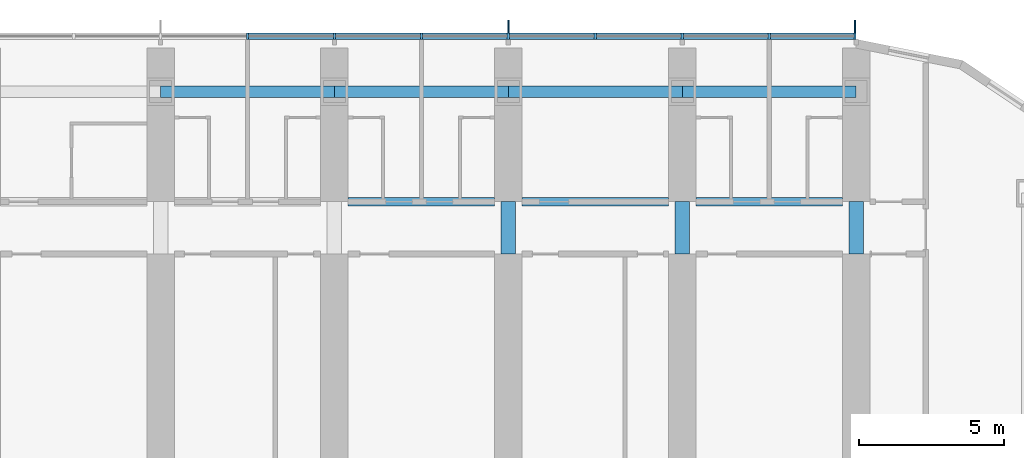
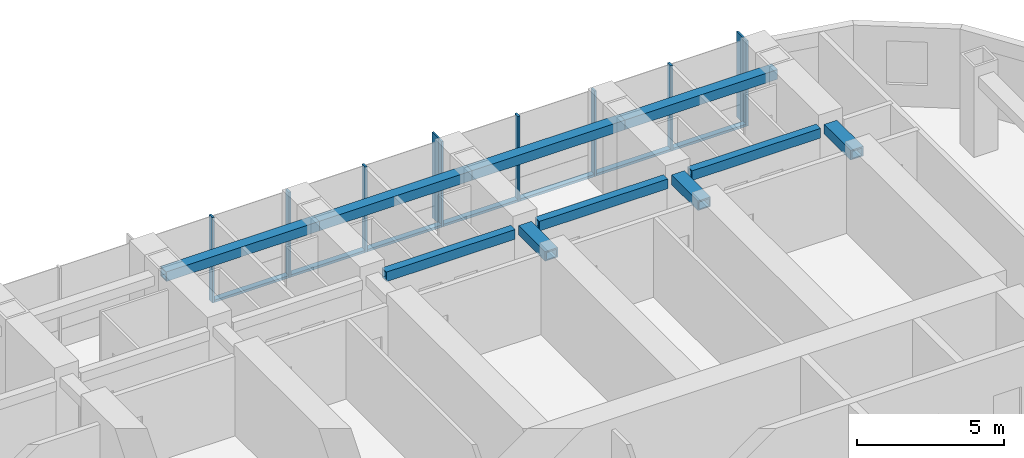
# One storey, part 5 of 21: 17 members, 10 beams, 1 element without a shape of its own.
"""IFC4 building model written with IfcOpenShell, lengths in metres."""

from ifc_helpers import new_model, si_unit, direction, frame, origin, origin_2d, place, context, subcontext, project, spatial, rectangle, hollow_rectangle, extrude, material, material_profile, profile_set, type_object, element, aggregate, save


model = new_model("IFC4")

# Units and contexts
model_context = context("Model", 3, precision=1e-05, world=origin(), true_north=direction((0.0, 1.0)))
body_context = subcontext(model_context, "Body", "Model", "MODEL_VIEW")
ifc_project = project(units=[si_unit("LENGTHUNIT", "METRE"), si_unit("AREAUNIT", "SQUARE_METRE"), si_unit("VOLUMEUNIT", "CUBIC_METRE"), si_unit("PLANEANGLEUNIT", "RADIAN"), si_unit("MASSUNIT", "GRAM", prefix="KILO")], contexts=[model_context])

# Site, building, storey
site_placement = place(None, origin())
site = spatial("IfcSite", under=ifc_project, at=site_placement, CompositionType="ELEMENT")
building_placement = place(site_placement, origin())
building = spatial("IfcBuilding", under=site, at=building_placement, Name="Orbita Commons", CompositionType="ELEMENT")
storey_placement = place(building_placement, frame((0.0, 0.0, 110.64990234375)))
storey = spatial("IfcBuildingStorey", under=building, at=storey_placement, Name="L27", CompositionType="ELEMENT", Elevation=110.64990234375)

# Curtain wall, members
ifc_material_1 = material(Name="Anodised aluminium frame, pale silver", Category="aluminium")
curtain_wall_type = type_object("IfcCurtainWallType", Name="Unitised curtain wall CW-T, vision and spandrel", PredefinedType="NOTDEFINED", material=ifc_material_1)
curtain_wall_placement = place(storey_placement, origin())
curtain_wall = element("IfcCurtainWall", 1, at=curtain_wall_placement, inside=storey, type_object=curtain_wall_type, Name="Curtain wall north L27", PredefinedType="NOTDEFINED")
ifc_material_2 = material(Name="Anodised aluminium, pale silver", Category="aluminium")
ifc_material_profile_1 = material_profile(ifc_material_2, rectangle(XDim=0.080078125, YDim=0.219970703125, at=origin_2d()), Name="AL 80x220")
ifc_profile_set_1 = profile_set([ifc_material_profile_1], Name="Anodised aluminium, pale silver")
member_type_1 = type_object("IfcMemberType", Name="Curtain wall mullion 80x220", PredefinedType="MULLION", material=ifc_profile_set_1)
member_1_placement = place(storey_placement, frame((65.9599609375, 55.510009765625, -0.25), z_axis=(0.0, 0.0, 1.0), x_axis=(-1.0, 0.0, 0.0)))
member_1 = element("IfcMember", 2, at=member_1_placement, type_object=member_type_1, Name="Mullion 1 CW-L27-N", PredefinedType="MULLION", context=body_context, shape_type="SweptSolid", body=[
    extrude(rectangle(XDim=0.080078125, YDim=0.219970703125, at=origin_2d()), origin(), (0.0, 0.0, 1.0), 3.550048828125),
])
member_2_placement = place(storey_placement, frame((63.0, 55.510009765625, -0.25), z_axis=(0.0, 0.0, 1.0), x_axis=(-1.0, 0.0, 0.0)))
member_2 = element("IfcMember", 3, at=member_2_placement, type_object=member_type_1, Name="Mullion 2 CW-L27-N", PredefinedType="MULLION", context=body_context, shape_type="SweptSolid", body=[
    extrude(rectangle(XDim=0.080078125, YDim=0.219970703125, at=origin_2d()), origin(), (0.0, 0.0, 1.0), 3.550048828125),
])
member_3_placement = place(storey_placement, frame((60.0, 55.510009765625, -0.25), z_axis=(0.0, 0.0, 1.0), x_axis=(-1.0, 0.0, 0.0)))
member_3 = element("IfcMember", 4, at=member_3_placement, type_object=member_type_1, Name="Mullion 3 CW-L27-N", PredefinedType="MULLION", context=body_context, shape_type="SweptSolid", body=[
    extrude(rectangle(XDim=0.080078125, YDim=0.219970703125, at=origin_2d()), origin(), (0.0, 0.0, 1.0), 3.550048828125),
])
member_4_placement = place(storey_placement, frame((57.0, 55.510009765625, -0.25), z_axis=(0.0, 0.0, 1.0), x_axis=(-1.0, 0.0, 0.0)))
member_4 = element("IfcMember", 5, at=member_4_placement, type_object=member_type_1, Name="Mullion 4 CW-L27-N", PredefinedType="MULLION", context=body_context, shape_type="SweptSolid", body=[
    extrude(rectangle(XDim=0.080078125, YDim=0.219970703125, at=origin_2d()), origin(), (0.0, 0.0, 1.0), 3.550048828125),
])
member_5_placement = place(storey_placement, frame((54.0, 55.510009765625, -0.25), z_axis=(0.0, 0.0, 1.0), x_axis=(-1.0, 0.0, 0.0)))
member_5 = element("IfcMember", 6, at=member_5_placement, type_object=member_type_1, Name="Mullion 5 CW-L27-N", PredefinedType="MULLION", context=body_context, shape_type="SweptSolid", body=[
    extrude(rectangle(XDim=0.080078125, YDim=0.219970703125, at=origin_2d()), origin(), (0.0, 0.0, 1.0), 3.550048828125),
])
member_6_placement = place(storey_placement, frame((51.0, 55.510009765625, -0.25), z_axis=(0.0, 0.0, 1.0), x_axis=(-1.0, 0.0, 0.0)))
member_6 = element("IfcMember", 7, at=member_6_placement, type_object=member_type_1, Name="Mullion 6 CW-L27-N", PredefinedType="MULLION", context=body_context, shape_type="SweptSolid", body=[
    extrude(rectangle(XDim=0.080078125, YDim=0.219970703125, at=origin_2d()), origin(), (0.0, 0.0, 1.0), 3.550048828125),
])
member_7_placement = place(storey_placement, frame((48.0, 55.510009765625, -0.25), z_axis=(0.0, 0.0, 1.0), x_axis=(-1.0, 0.0, 0.0)))
member_7 = element("IfcMember", 8, at=member_7_placement, type_object=member_type_1, Name="Mullion 7 CW-L27-N", PredefinedType="MULLION", context=body_context, shape_type="SweptSolid", body=[
    extrude(rectangle(XDim=0.080078125, YDim=0.219970703125, at=origin_2d()), origin(), (0.0, 0.0, 1.0), 3.550048828125),
])
member_8_placement = place(storey_placement, frame((45.0, 55.510009765625, -0.25), z_axis=(0.0, 0.0, 1.0), x_axis=(-1.0, 0.0, 0.0)))
member_8 = element("IfcMember", 9, at=member_8_placement, type_object=member_type_1, Name="Mullion 8 CW-L27-N", PredefinedType="MULLION", context=body_context, shape_type="SweptSolid", body=[
    extrude(rectangle(XDim=0.080078125, YDim=0.219970703125, at=origin_2d()), origin(), (0.0, 0.0, 1.0), 3.550048828125),
])
ifc_material_3 = material(Name="Anodised aluminium, pale silver", Category="aluminium")
ifc_material_profile_2 = material_profile(ifc_material_3, rectangle(XDim=0.219970703125, YDim=0.10009765625, at=origin_2d()), Name="AL 220x100")
ifc_profile_set_2 = profile_set([ifc_material_profile_2], Name="Anodised aluminium, pale silver")
member_type_2 = type_object("IfcMemberType", Name="Curtain wall stack transom 220x100", PredefinedType="USERDEFINED", material=ifc_profile_set_2)
member_9_placement = place(storey_placement, frame((65.919921875, 55.510009765625, -0.199951171875), z_axis=(-1.0, 0.0, 0.0), x_axis=(0.0, -1.0, 0.0)))
member_9 = element("IfcMember", 10, at=member_9_placement, type_object=member_type_2, Name="Transom 1.1 CW-L27-N", ObjectType="TRANSOM", PredefinedType="USERDEFINED", context=body_context, shape_type="SweptSolid", body=[
    extrude(rectangle(XDim=0.219970703125, YDim=0.10009765625, at=origin_2d()), origin(), (0.0, 0.0, 1.0), 2.8798828125),
])
member_10_placement = place(storey_placement, frame((62.9599609375, 55.510009765625, -0.199951171875), z_axis=(-1.0, 0.0, 0.0), x_axis=(0.0, -1.0, 0.0)))
member_10 = element("IfcMember", 11, at=member_10_placement, type_object=member_type_2, Name="Transom 2.1 CW-L27-N", ObjectType="TRANSOM", PredefinedType="USERDEFINED", context=body_context, shape_type="SweptSolid", body=[
    extrude(rectangle(XDim=0.219970703125, YDim=0.10009765625, at=origin_2d()), origin(), (0.0, 0.0, 1.0), 2.919921875),
])
member_11_placement = place(storey_placement, frame((59.9599609375, 55.510009765625, -0.199951171875), z_axis=(-1.0, 0.0, 0.0), x_axis=(0.0, -1.0, 0.0)))
member_11 = element("IfcMember", 12, at=member_11_placement, type_object=member_type_2, Name="Transom 3.1 CW-L27-N", ObjectType="TRANSOM", PredefinedType="USERDEFINED", context=body_context, shape_type="SweptSolid", body=[
    extrude(rectangle(XDim=0.219970703125, YDim=0.10009765625, at=origin_2d()), origin(), (0.0, 0.0, 1.0), 2.919921875),
])
member_12_placement = place(storey_placement, frame((56.9599609375, 55.510009765625, -0.199951171875), z_axis=(-1.0, 0.0, 0.0), x_axis=(0.0, -1.0, 0.0)))
member_12 = element("IfcMember", 13, at=member_12_placement, type_object=member_type_2, Name="Transom 4.1 CW-L27-N", ObjectType="TRANSOM", PredefinedType="USERDEFINED", context=body_context, shape_type="SweptSolid", body=[
    extrude(rectangle(XDim=0.219970703125, YDim=0.10009765625, at=origin_2d()), origin(), (0.0, 0.0, 1.0), 2.919921875),
])
member_13_placement = place(storey_placement, frame((53.9599609375, 55.510009765625, -0.199951171875), z_axis=(-1.0, 0.0, 0.0), x_axis=(0.0, -1.0, 0.0)))
member_13 = element("IfcMember", 14, at=member_13_placement, type_object=member_type_2, Name="Transom 5.1 CW-L27-N", ObjectType="TRANSOM", PredefinedType="USERDEFINED", context=body_context, shape_type="SweptSolid", body=[
    extrude(rectangle(XDim=0.219970703125, YDim=0.10009765625, at=origin_2d()), origin(), (0.0, 0.0, 1.0), 2.919921875),
])
member_14_placement = place(storey_placement, frame((50.9599609375, 55.510009765625, -0.199951171875), z_axis=(-1.0, 0.0, 0.0), x_axis=(0.0, -1.0, 0.0)))
member_14 = element("IfcMember", 15, at=member_14_placement, type_object=member_type_2, Name="Transom 6.1 CW-L27-N", ObjectType="TRANSOM", PredefinedType="USERDEFINED", context=body_context, shape_type="SweptSolid", body=[
    extrude(rectangle(XDim=0.219970703125, YDim=0.10009765625, at=origin_2d()), origin(), (0.0, 0.0, 1.0), 2.919921875),
])
member_15_placement = place(storey_placement, frame((47.9599609375, 55.510009765625, -0.199951171875), z_axis=(-1.0, 0.0, 0.0), x_axis=(0.0, -1.0, 0.0)))
member_15 = element("IfcMember", 16, at=member_15_placement, type_object=member_type_2, Name="Transom 7.1 CW-L27-N", ObjectType="TRANSOM", PredefinedType="USERDEFINED", context=body_context, shape_type="SweptSolid", body=[
    extrude(rectangle(XDim=0.219970703125, YDim=0.10009765625, at=origin_2d()), origin(), (0.0, 0.0, 1.0), 2.919921875),
])

# Beams
ifc_material_4 = material(Name="Steel ASTM A572 Gr 50 welded plate", Category="steel")
ifc_material_profile_3 = material_profile(ifc_material_4, hollow_rectangle(XDim=0.300048828125, YDim=0.39990234375, WallThickness=0.0400390625, at=origin_2d()), Name="BOX 400x300x40")
ifc_profile_set_3 = profile_set([ifc_material_profile_3], Name="Steel ASTM A572 Gr 50 welded plate")
beam_type_1 = type_object("IfcBeamType", Name="Steel corridor link BOX 400x300x40", PredefinedType="BEAM", material=ifc_profile_set_3)
for number, where, z_axis, x_axis, name in (
    (17, (48.47509765625, 49.800048828125, 3.10009765625), (1.0, 0.0, 0.0), (0.0, 1.0, 0.0), "Corridor beam NB 9-10 L27"),
    (18, (54.47509765625, 49.800048828125, 3.10009765625), (1.0, 0.0, 0.0), (0.0, 1.0, 0.0), "Corridor beam NB 10-11 L27"),
    (19, (60.47509765625, 49.800048828125, 3.10009765625), (1.0, 0.0, 0.0), (0.0, 1.0, 0.0), "Corridor beam NB 11-12 L27"),
):
    element("IfcBeam", number, at=place(storey_placement, frame(where, z_axis=z_axis, x_axis=x_axis)), inside=storey, type_object=beam_type_1, Name=name, PredefinedType="BEAM", context=body_context, shape_type="SweptSolid", body=[
        extrude(hollow_rectangle(XDim=0.300048828125, YDim=0.39990234375, WallThickness=0.0400390625, at=origin_2d()), origin(), (0.0, 0.0, 1.0), 5.0498046875),
    ])
ifc_material_5 = material(Name="Steel ASTM A572 Gr 50 welded plate", Category="steel")
ifc_material_profile_4 = material_profile(ifc_material_5, hollow_rectangle(XDim=0.5, YDim=0.39990234375, WallThickness=0.050048828125, at=origin_2d()), Name="BOX 400x500x50")
ifc_profile_set_4 = profile_set([ifc_material_profile_4], Name="Steel ASTM A572 Gr 50 welded plate")
beam_type_2 = type_object("IfcBeamType", Name="Steel coupling link BOX 400x500x50", PredefinedType="LINTEL", material=ifc_profile_set_4)
for number, where, z_axis, x_axis, name in (
    (20, (54.0, 48.0, 3.10009765625), (0.0, 1.0, 0.0), (-1.0, 0.0, 0.0), "Coupling beam 10 north L27"),
    (21, (60.0, 48.0, 3.10009765625), (0.0, 1.0, 0.0), (-1.0, 0.0, 0.0), "Coupling beam 11 north L27"),
    (22, (66.0, 48.0, 3.10009765625), (0.0, 1.0, 0.0), (-1.0, 0.0, 0.0), "Coupling beam 12 north L27"),
):
    element("IfcBeam", number, at=place(storey_placement, frame(where, z_axis=z_axis, x_axis=x_axis)), inside=storey, type_object=beam_type_2, Name=name, PredefinedType="LINTEL", context=body_context, shape_type="SweptSolid", body=[
        extrude(hollow_rectangle(XDim=0.5, YDim=0.39990234375, WallThickness=0.050048828125, at=origin_2d()), origin(), (0.0, 0.0, 1.0), 1.800048828125),
    ])
ifc_material_6 = material(Name="Steel ASTM A572 Gr 50 welded plate", Category="steel")
ifc_material_profile_5 = material_profile(ifc_material_6, hollow_rectangle(XDim=0.39990234375, YDim=0.39990234375, WallThickness=0.0400390625, at=origin_2d()), Name="BOX 400x400x40")
ifc_profile_set_5 = profile_set([ifc_material_profile_5], Name="Steel ASTM A572 Gr 50 welded plate")
beam_type_3 = type_object("IfcBeamType", Name="Steel spandrel BOX 400x400x40", PredefinedType="SPANDREL", material=ifc_profile_set_5)
for number, where, z_axis, x_axis, name in (
    (23, (42.0, 53.60009765625, 3.10009765625), (1.0, 0.0, 0.0), (0.0, 1.0, 0.0), "Spandrel beam E 8-9 L27"),
    (24, (48.0, 53.60009765625, 3.10009765625), (1.0, 0.0, 0.0), (0.0, 1.0, 0.0), "Spandrel beam E 9-10 L27"),
    (25, (54.0, 53.60009765625, 3.10009765625), (1.0, 0.0, 0.0), (0.0, 1.0, 0.0), "Spandrel beam E 10-11 L27"),
    (26, (60.0, 53.60009765625, 3.10009765625), (1.0, 0.0, 0.0), (0.0, 1.0, 0.0), "Spandrel beam E 11-12 L27"),
):
    element("IfcBeam", number, at=place(storey_placement, frame(where, z_axis=z_axis, x_axis=x_axis)), inside=storey, type_object=beam_type_3, Name=name, PredefinedType="SPANDREL", context=body_context, shape_type="SweptSolid", body=[
        extrude(hollow_rectangle(XDim=0.39990234375, YDim=0.39990234375, WallThickness=0.0400390625, at=origin_2d()), origin(), (0.0, 0.0, 1.0), 6.0),
    ])

# Member
ifc_material_7 = material(Name="Anodised aluminium, pale silver", Category="aluminium")
ifc_material_profile_6 = material_profile(ifc_material_7, rectangle(XDim=0.06005859375, YDim=0.449951171875, at=origin_2d()), Name="FIN 60x450")
ifc_profile_set_6 = profile_set([ifc_material_profile_6], Name="Anodised aluminium, pale silver")
member_type_3 = type_object("IfcMemberType", Name="Vertical fin 60x450 pale aluminium", PredefinedType="USERDEFINED", material=ifc_profile_set_6)
member_16_placement = place(storey_placement, frame((65.9599609375, 55.844970703125, -0.25), z_axis=(0.0, 0.0, 1.0), x_axis=(-1.0, 0.0, 0.0)))
member_16 = element("IfcMember", 27, at=member_16_placement, type_object=member_type_3, Name="Fin 1 CW-L27-N", ObjectType="FIN", PredefinedType="USERDEFINED", context=body_context, shape_type="SweptSolid", body=[
    extrude(rectangle(XDim=0.06005859375, YDim=0.449951171875, at=origin_2d()), origin(), (0.0, 0.0, 1.0), 3.550048828125),
])

member_17_placement = place(storey_placement, frame((54.0, 55.844970703125, -0.25), z_axis=(0.0, 0.0, 1.0), x_axis=(-1.0, 0.0, 0.0)))
member_17 = element("IfcMember", 28, at=member_17_placement, type_object=member_type_3, Name="Fin 5 CW-L27-N", ObjectType="FIN", PredefinedType="USERDEFINED", context=body_context, shape_type="SweptSolid", body=[
    extrude(rectangle(XDim=0.06005859375, YDim=0.449951171875, at=origin_2d()), origin(), (0.0, 0.0, 1.0), 3.550048828125),
])

aggregate(curtain_wall, [member_1, member_16, member_2, member_3, member_4, member_5, member_17, member_6, member_7, member_8, member_9, member_10, member_11, member_12, member_13, member_14, member_15])

save(model, "model.ifc")
